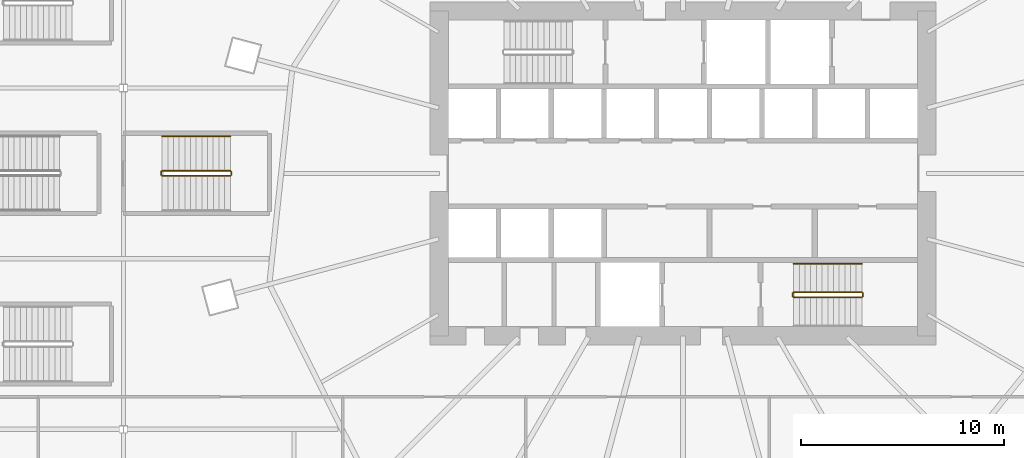
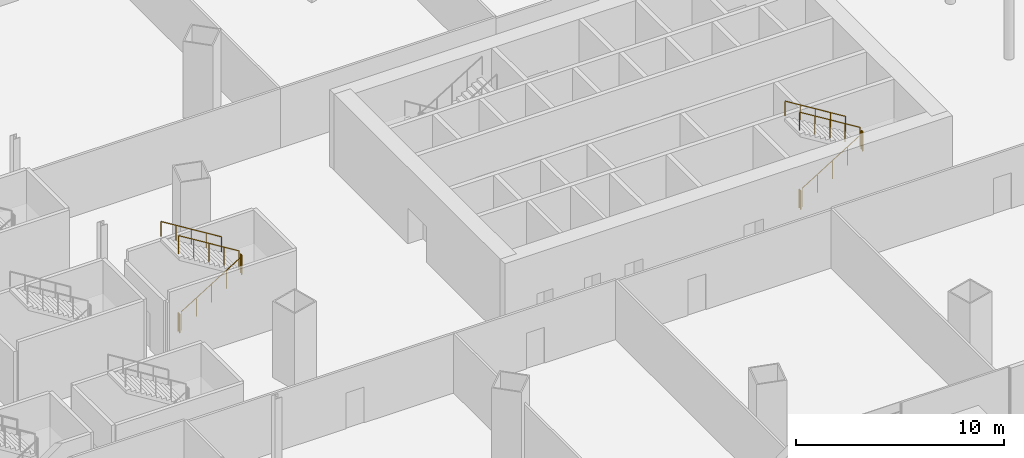
# One storey, part 49 of 52: 10 railings.
"""IFC4 building model written with IfcOpenShell, lengths in metres."""

from ifc_helpers import new_model, si_unit, direction, frame, origin, origin_2d, place, context, subcontext, project, spatial, circle, extrude, material, type_object, element, save


model = new_model("IFC4")

# Units and contexts
model_context = context("Model", 3, precision=1e-05, world=origin(), true_north=direction((0.0, 1.0)))
body_context = subcontext(model_context, "Body", "Model", "MODEL_VIEW")
ifc_project = project(units=[si_unit("LENGTHUNIT", "METRE"), si_unit("AREAUNIT", "SQUARE_METRE"), si_unit("VOLUMEUNIT", "CUBIC_METRE"), si_unit("PLANEANGLEUNIT", "RADIAN"), si_unit("MASSUNIT", "GRAM", prefix="KILO")], contexts=[model_context])

# Site, building, storey
site_placement = place(None, origin())
site = spatial("IfcSite", under=ifc_project, at=site_placement, CompositionType="ELEMENT")
building_placement = place(site_placement, origin())
building = spatial("IfcBuilding", under=site, at=building_placement, Name="Rimbun Link Towers", CompositionType="ELEMENT")
storey_placement = place(building_placement, frame((0.0, 0.0, 21.0)))
storey = spatial("IfcBuildingStorey", under=building, at=storey_placement, Name="L04", CompositionType="ELEMENT", Elevation=21.0)

# Railings
ifc_material_1 = material(Name="Stainless steel grade 316", Category="steel")
railing_type_1 = type_object("IfcRailingType", Name="Stair guard", PredefinedType="GUARDRAIL", material=ifc_material_1)
railing_1_placement = place(storey_placement, frame((37.199951171875, -6.10009765625, 0.173095703125)))
element("IfcRailing", 1, at=railing_1_placement, inside=storey, type_object=railing_type_1, Name="L04 ST4 stair guard 1", PredefinedType="GUARDRAIL", context=body_context, shape_type="SweptSolid", body=[
    extrude(circle(Radius=0.02392578125, at=origin_2d()), frame((0.0, 0.0, 1.076171875), z_axis=(0.850623216509, 0.0, 0.525775754039), x_axis=(0.0, 1.0, 0.0)), (0.0, 0.0, 1.0), 3.9501953125),
    extrude(circle(Radius=0.02099609375, at=origin_2d()), origin(), (0.0, 0.0, 1.0), 1.052001953125),
    extrude(circle(Radius=0.02099609375, at=origin_2d()), frame((0.840087890625, 0.0, 0.519287109375)), (0.0, 0.0, 1.0), 1.052001953125),
    extrude(circle(Radius=0.02099609375, at=origin_2d()), frame((1.68017578125, 0.0, 1.03857421875)), (0.0, 0.0, 1.0), 1.052001953125),
    extrude(circle(Radius=0.02099609375, at=origin_2d()), frame((2.52001953125, 0.0, 1.5576171875)), (0.0, 0.0, 1.0), 1.052001953125),
    extrude(circle(Radius=0.02099609375, at=origin_2d()), frame((3.360107421875, 0.0, 2.076904296875)), (0.0, 0.0, 1.0), 1.052001953125),
])
railing_2_placement = place(storey_placement, frame((40.610107421875, -6.050048828125, 2.25)))
element("IfcRailing", 2, at=railing_2_placement, inside=storey, type_object=railing_type_1, Name="L04 ST4 stair guard 2", PredefinedType="GUARDRAIL", context=body_context, shape_type="SweptSolid", body=[
    extrude(circle(Radius=0.02392578125, at=origin_2d()), frame((0.0, 0.0, 1.076171875), z_axis=(0.0, 1.0, 0.0), x_axis=(-1.0, 0.0, 0.0)), (0.0, 0.0, 1.0), 0.150146484375),
    extrude(circle(Radius=0.02099609375, at=origin_2d()), origin(), (0.0, 0.0, 1.0), 1.052001953125),
    extrude(circle(Radius=0.02099609375, at=origin_2d()), frame((0.0, 0.150146484375, 0.0)), (0.0, 0.0, 1.0), 1.052001953125),
])
railing_3_placement = place(storey_placement, frame((40.56005859375, -5.85009765625, 2.423095703125)))
element("IfcRailing", 3, at=railing_3_placement, inside=storey, type_object=railing_type_1, Name="L04 ST4 stair guard 3", PredefinedType="GUARDRAIL", context=body_context, shape_type="SweptSolid", body=[
    extrude(circle(Radius=0.02392578125, at=origin_2d()), frame((0.0, 0.0, 1.076171875), z_axis=(-0.850623216509, 0.0, 0.525775754039), x_axis=(0.0, -1.0, 0.0)), (0.0, 0.0, 1.0), 3.9501953125),
    extrude(circle(Radius=0.02099609375, at=origin_2d()), origin(), (0.0, 0.0, 1.0), 1.052001953125),
    extrude(circle(Radius=0.02099609375, at=origin_2d()), frame((-0.840087890625, 0.0, 0.519287109375)), (0.0, 0.0, 1.0), 1.052001953125),
    extrude(circle(Radius=0.02099609375, at=origin_2d()), frame((-1.68017578125, 0.0, 1.03857421875)), (0.0, 0.0, 1.0), 1.052001953125),
    extrude(circle(Radius=0.02099609375, at=origin_2d()), frame((-2.52001953125, 0.0, 1.5576171875)), (0.0, 0.0, 1.0), 1.052001953125),
    extrude(circle(Radius=0.02099609375, at=origin_2d()), frame((-3.360107421875, 0.0, 2.076904296875)), (0.0, 0.0, 1.0), 1.052001953125),
])
railing_4_placement = place(storey_placement, frame((37.14990234375, -6.050048828125, 0.0)))
element("IfcRailing", 4, at=railing_4_placement, inside=storey, type_object=railing_type_1, Name="L04 ST4 stair guard 4", PredefinedType="GUARDRAIL", context=body_context, shape_type="SweptSolid", body=[
    extrude(circle(Radius=0.02392578125, at=origin_2d()), frame((0.0, 0.0, 1.076171875), z_axis=(0.0, 1.0, 0.0), x_axis=(-1.0, 0.0, 0.0)), (0.0, 0.0, 1.0), 0.150146484375),
    extrude(circle(Radius=0.02099609375, at=origin_2d()), origin(), (0.0, 0.0, 1.0), 1.052001953125),
    extrude(circle(Radius=0.02099609375, at=origin_2d()), frame((0.0, 0.150146484375, 0.0)), (0.0, 0.0, 1.0), 1.052001953125),
])
railing_5_placement = place(storey_placement, frame((6.10009765625, -0.125, 0.173095703125)))
element("IfcRailing", 5, at=railing_5_placement, inside=storey, type_object=railing_type_1, Name="L04 PS5 stair guard 1", PredefinedType="GUARDRAIL", context=body_context, shape_type="SweptSolid", body=[
    extrude(circle(Radius=0.02392578125, at=origin_2d()), frame((0.0, 0.0, 1.076171875), z_axis=(0.850606129759, 0.0, 0.525803396734), x_axis=(0.0, 1.0, 0.0)), (0.0, 0.0, 1.0), 3.949951171875),
    extrude(circle(Radius=0.02099609375, at=origin_2d()), origin(), (0.0, 0.0, 1.0), 1.052001953125),
    extrude(circle(Radius=0.02099609375, at=origin_2d()), frame((0.83984375, 0.0, 0.519287109375)), (0.0, 0.0, 1.0), 1.052001953125),
    extrude(circle(Radius=0.02099609375, at=origin_2d()), frame((1.679931640625, 0.0, 1.03857421875)), (0.0, 0.0, 1.0), 1.052001953125),
    extrude(circle(Radius=0.02099609375, at=origin_2d()), frame((2.52001953125, 0.0, 1.5576171875)), (0.0, 0.0, 1.0), 1.052001953125),
    extrude(circle(Radius=0.02099609375, at=origin_2d()), frame((3.35986328125, 0.0, 2.076904296875)), (0.0, 0.0, 1.0), 1.052001953125),
])
railing_6_placement = place(storey_placement, frame((9.510009765625, -0.074951171875, 2.25)))
element("IfcRailing", 6, at=railing_6_placement, inside=storey, type_object=railing_type_1, Name="L04 PS5 stair guard 2", PredefinedType="GUARDRAIL", context=body_context, shape_type="SweptSolid", body=[
    extrude(circle(Radius=0.02392578125, at=origin_2d()), frame((0.0, 0.0, 1.076171875), z_axis=(0.0, 1.0, 0.0), x_axis=(-1.0, 0.0, 0.0)), (0.0, 0.0, 1.0), 0.14990234375),
    extrude(circle(Radius=0.02099609375, at=origin_2d()), origin(), (0.0, 0.0, 1.0), 1.052001953125),
    extrude(circle(Radius=0.02099609375, at=origin_2d()), frame((0.0, 0.14990234375, 0.0)), (0.0, 0.0, 1.0), 1.052001953125),
])
railing_7_placement = place(storey_placement, frame((9.4599609375, 0.125, 2.423095703125)))
element("IfcRailing", 7, at=railing_7_placement, inside=storey, type_object=railing_type_1, Name="L04 PS5 stair guard 3", PredefinedType="GUARDRAIL", context=body_context, shape_type="SweptSolid", body=[
    extrude(circle(Radius=0.02392578125, at=origin_2d()), frame((0.0, 0.0, 1.076171875), z_axis=(-0.850606129759, 0.0, 0.525803396734), x_axis=(0.0, -1.0, 0.0)), (0.0, 0.0, 1.0), 3.949951171875),
    extrude(circle(Radius=0.02099609375, at=origin_2d()), origin(), (0.0, 0.0, 1.0), 1.052001953125),
    extrude(circle(Radius=0.02099609375, at=origin_2d()), frame((-0.83984375, 0.0, 0.519287109375)), (0.0, 0.0, 1.0), 1.052001953125),
    extrude(circle(Radius=0.02099609375, at=origin_2d()), frame((-1.679931640625, 0.0, 1.03857421875)), (0.0, 0.0, 1.0), 1.052001953125),
    extrude(circle(Radius=0.02099609375, at=origin_2d()), frame((-2.52001953125, 0.0, 1.5576171875)), (0.0, 0.0, 1.0), 1.052001953125),
    extrude(circle(Radius=0.02099609375, at=origin_2d()), frame((-3.35986328125, 0.0, 2.076904296875)), (0.0, 0.0, 1.0), 1.052001953125),
])
railing_8_placement = place(storey_placement, frame((6.050048828125, -0.074951171875, 0.0)))
element("IfcRailing", 8, at=railing_8_placement, inside=storey, type_object=railing_type_1, Name="L04 PS5 stair guard 4", PredefinedType="GUARDRAIL", context=body_context, shape_type="SweptSolid", body=[
    extrude(circle(Radius=0.02392578125, at=origin_2d()), frame((0.0, 0.0, 1.076171875), z_axis=(0.0, 1.0, 0.0), x_axis=(-1.0, 0.0, 0.0)), (0.0, 0.0, 1.0), 0.14990234375),
    extrude(circle(Radius=0.02099609375, at=origin_2d()), origin(), (0.0, 0.0, 1.0), 1.052001953125),
    extrude(circle(Radius=0.02099609375, at=origin_2d()), frame((0.0, 0.14990234375, 0.0)), (0.0, 0.0, 1.0), 1.052001953125),
])
ifc_material_2 = material(Name="Stainless steel grade 316", Category="steel")
railing_type_2 = type_object("IfcRailingType", Name="Stair handrail", PredefinedType="HANDRAIL", material=ifc_material_2)
railing_9_placement = place(storey_placement, frame((40.56005859375, -4.449951171875, 2.423095703125)))
element("IfcRailing", 9, at=railing_9_placement, inside=storey, type_object=railing_type_2, Name="L04 ST4 stair handrail 2", PredefinedType="HANDRAIL", context=body_context, shape_type="SweptSolid", body=[
    extrude(circle(Radius=0.02392578125, at=origin_2d()), frame((0.0, 0.0, 0.8759765625), z_axis=(-0.850623216509, 0.0, 0.525775754039), x_axis=(0.0, -1.0, 0.0)), (0.0, 0.0, 1.0), 3.9501953125),
    extrude(circle(Radius=0.02099609375, at=origin_2d()), origin(), (0.0, 0.0, 1.0), 0.851806640625),
    extrude(circle(Radius=0.02099609375, at=origin_2d()), frame((-0.840087890625, 0.0, 0.519287109375)), (0.0, 0.0, 1.0), 0.851806640625),
    extrude(circle(Radius=0.02099609375, at=origin_2d()), frame((-1.68017578125, 0.0, 1.03857421875)), (0.0, 0.0, 1.0), 0.851806640625),
    extrude(circle(Radius=0.02099609375, at=origin_2d()), frame((-2.52001953125, 0.0, 1.5576171875)), (0.0, 0.0, 1.0), 0.851806640625),
    extrude(circle(Radius=0.02099609375, at=origin_2d()), frame((-3.360107421875, 0.0, 2.076904296875)), (0.0, 0.0, 1.0), 0.851806640625),
])
railing_10_placement = place(storey_placement, frame((9.4599609375, 1.824951171875, 2.423095703125)))
element("IfcRailing", 10, at=railing_10_placement, inside=storey, type_object=railing_type_2, Name="L04 PS5 stair handrail 2", PredefinedType="HANDRAIL", context=body_context, shape_type="SweptSolid", body=[
    extrude(circle(Radius=0.02392578125, at=origin_2d()), frame((0.0, 0.0, 0.8759765625), z_axis=(-0.850606129759, 0.0, 0.525803396734), x_axis=(0.0, -1.0, 0.0)), (0.0, 0.0, 1.0), 3.949951171875),
    extrude(circle(Radius=0.02099609375, at=origin_2d()), origin(), (0.0, 0.0, 1.0), 0.851806640625),
    extrude(circle(Radius=0.02099609375, at=origin_2d()), frame((-0.83984375, 0.0, 0.519287109375)), (0.0, 0.0, 1.0), 0.851806640625),
    extrude(circle(Radius=0.02099609375, at=origin_2d()), frame((-1.679931640625, 0.0, 1.03857421875)), (0.0, 0.0, 1.0), 0.851806640625),
    extrude(circle(Radius=0.02099609375, at=origin_2d()), frame((-2.52001953125, 0.0, 1.5576171875)), (0.0, 0.0, 1.0), 0.851806640625),
    extrude(circle(Radius=0.02099609375, at=origin_2d()), frame((-3.35986328125, 0.0, 2.076904296875)), (0.0, 0.0, 1.0), 0.851806640625),
])

save(model, "model.ifc")
